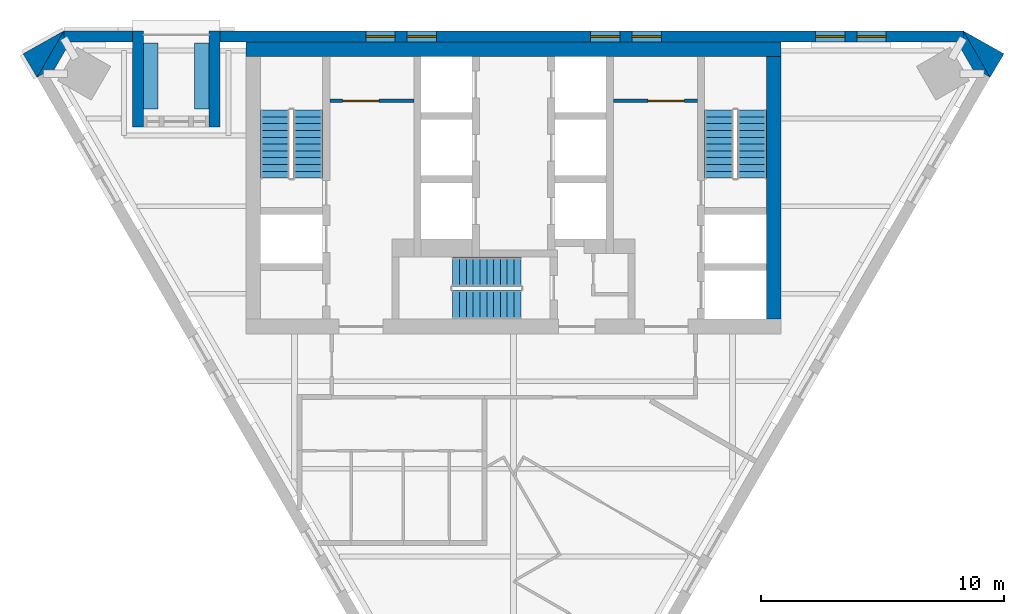
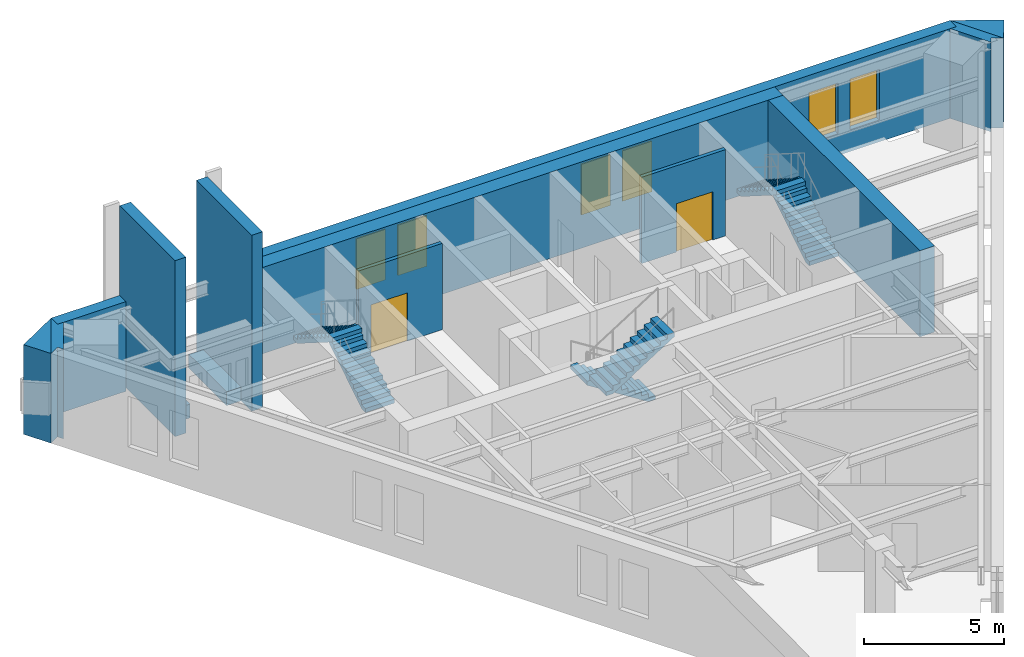
# One storey, part 5 of 6: 14 walls, 6 stair flights, 6 windows, 2 doors, 8 openings, 3 elements without a shape of their own.
"""IFC4 building model written with IfcOpenShell, lengths in metres."""

from ifc_helpers import new_model, si_unit, direction, frame, frame_2d, origin, place, context, subcontext, project, spatial, polyline, rectangle, outline, extrude, material, layer, layer_set, type_object, element, fill, aggregate, save


model = new_model("IFC4")

# Units and contexts
model_context = context("Model", 3, precision=1e-05, world=origin(), true_north=direction((0.0, 1.0)))
body_context = subcontext(model_context, "Body", "Model", "MODEL_VIEW")
ifc_project = project(units=[si_unit("LENGTHUNIT", "METRE"), si_unit("AREAUNIT", "SQUARE_METRE"), si_unit("VOLUMEUNIT", "CUBIC_METRE"), si_unit("PLANEANGLEUNIT", "RADIAN"), si_unit("MASSUNIT", "GRAM", prefix="KILO")], contexts=[model_context])

# Site, building, storey
site_placement = place(None, origin())
site = spatial("IfcSite", under=ifc_project, at=site_placement, CompositionType="ELEMENT")
building_placement = place(site_placement, origin())
building = spatial("IfcBuilding", under=site, at=building_placement, Name="Aloe Facet Convention Tower", CompositionType="ELEMENT")
storey_placement = place(building_placement, frame((0.0, 0.0, 250.39990234375)))
storey = spatial("IfcBuildingStorey", under=building, at=storey_placement, Name="L61", CompositionType="ELEMENT", Elevation=250.39990234375)

# Wall, opening, door
ifc_material_1 = material(Name="Concrete blockwork partition", Category="masonry")
ifc_layer_1 = layer(ifc_material_1, 0.14990234375)
ifc_layer_set_1 = layer_set([ifc_layer_1], Name="CR-W-PART150")
wall_type_1 = type_object("IfcWallType", Name="CR-W-PART150", PredefinedType="PARTITIONING", material=ifc_layer_set_1)
wall_1_placement = place(storey_placement, frame((72.449951171875, 132.125, 0.0), z_axis=(0.0, 0.0, 1.0), x_axis=(1.0, 0.0, 0.0)))
wall_1 = element("IfcWall", 1, at=wall_1_placement, inside=storey, type_object=wall_type_1, Name="Core partition L61-007", PredefinedType="PARTITIONING", context=body_context, shape_type="SweptSolid", body=[
    extrude(rectangle(XDim=3.449951171875, YDim=0.14990234375, at=frame_2d((1.72509765625, 0.0))), origin(), (0.0, 0.0, 1.0), 3.75),
])
opening_1_placement = place(wall_1_placement, frame((0.52490234375, 0.0, 0.0)))
opening_1 = element("IfcOpeningElement", 2, at=opening_1_placement, cuts=wall_1, Name="Opening L61-CD14", PredefinedType="OPENING", context=body_context, shape_type="SweptSolid", body=[
    extrude(rectangle(XDim=1.5, YDim=2.10009765625, at=frame_2d((0.75, 1.050048828125))), frame((0.0, 0.0849609375, 0.0), z_axis=(0.0, -1.0, 0.0), x_axis=(1.0, 0.0, 0.0)), (0.0, 0.0, 1.0), 0.169921875),
])
ifc_material_2 = material(Name="Steel fire-resisting door set FD60", Category="steel")
door_type = type_object("IfcDoorType", Name="CR-D-REFUGE-1500-FD60-DD", OperationType="DOUBLE_DOOR_DOUBLE_SWING", PredefinedType="DOOR", material=ifc_material_2)
door_1_placement = place(opening_1_placement, origin())
door_1 = element("IfcDoor", 3, at=door_1_placement, inside=storey, type_object=door_type, Name="Core door L61-CD14", OperationType="DOUBLE_DOOR_DOUBLE_SWING", OverallHeight=2.10009765625, OverallWidth=1.5, PredefinedType="DOOR", context=body_context, shape_type="SweptSolid", body=[
    extrude(rectangle(XDim=1.5, YDim=2.10009765625, at=frame_2d((0.75, 1.050048828125))), frame((0.0, 0.02490234375, 0.0), z_axis=(0.0, -1.0, 0.0), x_axis=(1.0, 0.0, 0.0)), (0.0, 0.0, 1.0), 0.050048828125),
])
fill(opening_1, door_1)

wall_2_placement = place(storey_placement, frame((84.10009765625, 132.125, 0.0), z_axis=(0.0, 0.0, 1.0), x_axis=(1.0, 0.0, 0.0)))
wall_2 = element("IfcWall", 4, at=wall_2_placement, inside=storey, type_object=wall_type_1, Name="Core partition L61-025", PredefinedType="PARTITIONING", context=body_context, shape_type="SweptSolid", body=[
    extrude(rectangle(XDim=3.449951171875, YDim=0.14990234375, at=frame_2d((1.72509765625, 0.0))), origin(), (0.0, 0.0, 1.0), 3.75),
])
opening_2_placement = place(wall_2_placement, frame((1.425048828125, 0.0, 0.0)))
opening_2 = element("IfcOpeningElement", 5, at=opening_2_placement, cuts=wall_2, Name="Opening L61-CD13", PredefinedType="OPENING", context=body_context, shape_type="SweptSolid", body=[
    extrude(rectangle(XDim=1.5, YDim=2.10009765625, at=frame_2d((0.75, 1.050048828125))), frame((0.0, 0.0849609375, 0.0), z_axis=(0.0, -1.0, 0.0), x_axis=(1.0, 0.0, 0.0)), (0.0, 0.0, 1.0), 0.169921875),
])
door_2_placement = place(opening_2_placement, origin())
door_2 = element("IfcDoor", 6, at=door_2_placement, inside=storey, type_object=door_type, Name="Core door L61-CD13", OperationType="DOUBLE_DOOR_DOUBLE_SWING", OverallHeight=2.10009765625, OverallWidth=1.5, PredefinedType="DOOR", context=body_context, shape_type="SweptSolid", body=[
    extrude(rectangle(XDim=1.5, YDim=2.10009765625, at=frame_2d((0.75, 1.050048828125))), frame((0.0, 0.02490234375, 0.0), z_axis=(0.0, -1.0, 0.0), x_axis=(1.0, 0.0, 0.0)), (0.0, 0.0, 1.0), 0.050048828125),
])
fill(opening_2, door_2)

# Walls
ifc_material_3 = material(Name="Concrete C50/60", Category="concrete")
ifc_layer_2 = layer(ifc_material_3, 0.60009765625)
ifc_layer_set_2 = layer_set([ifc_layer_2], Name="CR-W-RC600-C5060")
wall_type_2 = type_object("IfcWallType", Name="CR-W-RC600-C5060", PredefinedType="SOLIDWALL", material=ifc_layer_set_2)
wall_3_placement = place(storey_placement, frame((69.0, 134.25, 0.0), z_axis=(0.0, 0.0, 1.0), x_axis=(1.0, 0.0, 0.0)))
element("IfcWall", 7, at=wall_3_placement, inside=storey, type_object=wall_type_2, Name="Core wall L61-001", PredefinedType="SOLIDWALL", context=body_context, shape_type="SweptSolid", body=[
    extrude(rectangle(XDim=22.0, YDim=0.60009765625, at=frame_2d((11.0, 0.0))), origin(), (0.0, 0.0, 1.0), 3.75),
])
wall_4_placement = place(storey_placement, frame((90.699951171875, 133.949951171875, 0.0), z_axis=(0.0, 0.0, 1.0), x_axis=(0.0, -1.0, 0.0)))
element("IfcWall", 8, at=wall_4_placement, inside=storey, type_object=wall_type_2, Name="Core wall L61-031", PredefinedType="SOLIDWALL", context=body_context, shape_type="SweptSolid", body=[
    extrude(rectangle(XDim=10.800048828125, YDim=0.60009765625, at=frame_2d((5.39990234375, 0.0))), origin(), (0.0, 0.0, 1.0), 3.75),
])
ifc_material_4 = material(Name="Precast concrete C40/50", Category="concrete")
ifc_layer_3 = layer(ifc_material_4, 0.60009765625)
ifc_layer_set_3 = layer_set([ifc_layer_3], Name="EV-PLANTER")
wall_type_3 = type_object("IfcWallType", Name="EV-PLANTER", PredefinedType="STANDARD", material=ifc_layer_set_3)
for number, where, z_axis, x_axis, name in (
    (9, (67.185302734375, 134.5, 0.0), (0.0, 0.0, 1.0), (0.0, -1.0, 0.0), "PLANTER T13-1"),
    (10, (65.08544921875, 134.5, 0.0), (0.0, 0.0, 1.0), (0.0, -1.0, 0.0), "PLANTER T13-2"),
):
    element("IfcWall", number, at=place(storey_placement, frame(where, z_axis=z_axis, x_axis=x_axis)), inside=storey, type_object=wall_type_3, Name=name, PredefinedType="STANDARD", context=body_context, shape_type="SweptSolid", body=[
        extrude(rectangle(XDim=2.699951171875, YDim=0.60009765625, at=frame_2d((1.35009765625, 0.0))), origin(), (0.0, 0.0, 1.0), 0.60009765625),
    ])
ifc_material_5 = material(Name="Precast concrete C40/50", Category="concrete")
ifc_layer_4 = layer(ifc_material_5, 0.449951171875)
ifc_layer_set_4 = layer_set([ifc_layer_4], Name="EV-WALL-PIER")
wall_type_4 = type_object("IfcWallType", Name="EV-WALL-PIER", PredefinedType="SOLIDWALL", material=ifc_layer_set_4)
wall_5_placement = place(storey_placement, frame((0.0, 0.0, -0.14990234375)))
element("IfcWall", 11, at=wall_5_placement, inside=storey, type_object=wall_type_4, Name="EP-L61-A", PredefinedType="SOLIDWALL", context=body_context, shape_type="SweptSolid", body=[
    extrude(outline(polyline([(61.513916015625, 135.0), (61.513916015625, 134.550048828125), (61.773681640625, 134.550048828125), (60.933349609375, 133.0947265625), (60.803466796875, 133.31982421875), (60.413818359375, 133.0947265625), (61.513916015625, 135.0)])), origin(), (0.0, 0.0, 1.0), 3.89990234375),
])
wall_6_placement = place(storey_placement, frame((0.0, 0.0, -0.14990234375)))
element("IfcWall", 12, at=wall_6_placement, inside=storey, type_object=wall_type_4, Name="EP-L61-C", PredefinedType="SOLIDWALL", context=body_context, shape_type="SweptSolid", body=[
    extrude(outline(polyline([(99.586181640625, 133.0947265625), (99.196533203125, 133.31982421875), (99.066650390625, 133.0947265625), (98.226318359375, 134.550048828125), (98.486083984375, 134.550048828125), (98.486083984375, 135.0), (99.586181640625, 133.0947265625)])), origin(), (0.0, 0.0, 1.0), 3.89990234375),
])
ifc_material_6 = material(Name="Precast concrete C40/50", Category="concrete")
ifc_layer_5 = layer(ifc_material_6, 3.947998046875)
ifc_layer_set_5 = layer_set([ifc_layer_5], Name="EV-WALL-SPINE")
wall_type_5 = type_object("IfcWallType", Name="EV-WALL-SPINE", PredefinedType="SOLIDWALL", material=ifc_layer_set_5)
wall_7_placement = place(storey_placement, frame((0.0, 0.0, -0.14990234375)))
element("IfcWall", 13, at=wall_7_placement, inside=storey, type_object=wall_type_5, Name="SP-NW-L61", PredefinedType="SOLIDWALL", context=body_context, shape_type="SweptSolid", body=[
    extrude(outline(polyline([(61.513916015625, 135.0), (59.841796875, 134.059814453125), (60.413818359375, 133.0947265625), (61.513916015625, 135.0)])), origin(), (0.0, 0.0, 1.0), 3.89990234375),
])
wall_8_placement = place(storey_placement, frame((0.0, 0.0, -0.14990234375)))
element("IfcWall", 14, at=wall_8_placement, inside=storey, type_object=wall_type_5, Name="SP-NE-L61", PredefinedType="SOLIDWALL", context=body_context, shape_type="SweptSolid", body=[
    extrude(outline(polyline([(99.586181640625, 133.0947265625), (100.158203125, 134.059814453125), (98.486083984375, 135.0), (99.586181640625, 133.0947265625)])), origin(), (0.0, 0.0, 1.0), 3.89990234375),
])

# Wall, openings, windows
ifc_material_7 = material(Name="Precast concrete C40/50", Category="concrete")
ifc_layer_6 = layer(ifc_material_7, 0.449951171875)
ifc_layer_set_6 = layer_set([ifc_layer_6], Name="EV-WALL-STONE")
wall_type_6 = type_object("IfcWallType", Name="EV-WALL-STONE", PredefinedType="SOLIDWALL", material=ifc_layer_set_6)
wall_9_placement = place(storey_placement, frame((98.486083984375, 134.77490234375, -0.14990234375), z_axis=(0.0, 0.0, 1.0), x_axis=(-1.0, 0.0, 0.0)))
wall_9 = element("IfcWall", 15, at=wall_9_placement, inside=storey, type_object=wall_type_6, Name="EW-L61-N01", PredefinedType="SOLIDWALL", context=body_context, shape_type="SweptSolid", body=[
    extrude(outline(polyline([(0.0, 0.0), (0.0, 3.89990234375), (30.55078125, 3.89990234375), (30.55078125, 0.0), (0.0, 0.0)])), frame((0.0, 0.22509765625, 0.0), z_axis=(0.0, -1.0, 0.0), x_axis=(1.0, 0.0, 0.0)), (0.0, 0.0, 1.0), 0.449951171875),
])
opening_3_placement = place(wall_9_placement, frame((3.171630859375, 0.0, 0.949951171875)))
opening_3 = element("IfcOpeningElement", 16, at=opening_3_placement, cuts=wall_9, Name="Opening W-L61-N01", PredefinedType="OPENING", context=body_context, shape_type="SweptSolid", body=[
    extrude(rectangle(XDim=1.199951171875, YDim=2.199951171875, at=frame_2d((0.60009765625, 1.10009765625))), frame((0.0, 0.23486328125, 0.0), z_axis=(0.0, -1.0, 0.0), x_axis=(1.0, 0.0, 0.0)), (0.0, 0.0, 1.0), 0.469970703125),
])
opening_4_placement = place(wall_9_placement, frame((4.87158203125, 0.0, 0.949951171875)))
opening_4 = element("IfcOpeningElement", 17, at=opening_4_placement, cuts=wall_9, Name="Opening W-L61-N02", PredefinedType="OPENING", context=body_context, shape_type="SweptSolid", body=[
    extrude(rectangle(XDim=1.199951171875, YDim=2.199951171875, at=frame_2d((0.60009765625, 1.10009765625))), frame((0.0, 0.23486328125, 0.0), z_axis=(0.0, -1.0, 0.0), x_axis=(1.0, 0.0, 0.0)), (0.0, 0.0, 1.0), 0.469970703125),
])
opening_5_placement = place(wall_9_placement, frame((12.41455078125, 0.0, 0.949951171875)))
opening_5 = element("IfcOpeningElement", 18, at=opening_5_placement, cuts=wall_9, Name="Opening W-L61-N03", PredefinedType="OPENING", context=body_context, shape_type="SweptSolid", body=[
    extrude(rectangle(XDim=1.199951171875, YDim=2.199951171875, at=frame_2d((0.60009765625, 1.10009765625))), frame((0.0, 0.23486328125, 0.0), z_axis=(0.0, -1.0, 0.0), x_axis=(1.0, 0.0, 0.0)), (0.0, 0.0, 1.0), 0.469970703125),
])
opening_6_placement = place(wall_9_placement, frame((14.114501953125, 0.0, 0.949951171875)))
opening_6 = element("IfcOpeningElement", 19, at=opening_6_placement, cuts=wall_9, Name="Opening W-L61-N04", PredefinedType="OPENING", context=body_context, shape_type="SweptSolid", body=[
    extrude(rectangle(XDim=1.199951171875, YDim=2.199951171875, at=frame_2d((0.60009765625, 1.10009765625))), frame((0.0, 0.23486328125, 0.0), z_axis=(0.0, -1.0, 0.0), x_axis=(1.0, 0.0, 0.0)), (0.0, 0.0, 1.0), 0.469970703125),
])
opening_7_placement = place(wall_9_placement, frame((21.65771484375, 0.0, 0.949951171875)))
opening_7 = element("IfcOpeningElement", 20, at=opening_7_placement, cuts=wall_9, Name="Opening W-L61-N05", PredefinedType="OPENING", context=body_context, shape_type="SweptSolid", body=[
    extrude(rectangle(XDim=1.199951171875, YDim=2.199951171875, at=frame_2d((0.60009765625, 1.10009765625))), frame((0.0, 0.23486328125, 0.0), z_axis=(0.0, -1.0, 0.0), x_axis=(1.0, 0.0, 0.0)), (0.0, 0.0, 1.0), 0.469970703125),
])
opening_8_placement = place(wall_9_placement, frame((23.357666015625, 0.0, 0.949951171875)))
opening_8 = element("IfcOpeningElement", 21, at=opening_8_placement, cuts=wall_9, Name="Opening W-L61-N06", PredefinedType="OPENING", context=body_context, shape_type="SweptSolid", body=[
    extrude(rectangle(XDim=1.199951171875, YDim=2.199951171875, at=frame_2d((0.60009765625, 1.10009765625))), frame((0.0, 0.23486328125, 0.0), z_axis=(0.0, -1.0, 0.0), x_axis=(1.0, 0.0, 0.0)), (0.0, 0.0, 1.0), 0.469970703125),
])
ifc_material_8 = material(Name="Aluminium frame, clear double glazing", Category="aluminium")
window_type = type_object("IfcWindowType", Name="EV-WIN-O12", PartitioningType="SINGLE_PANEL", PredefinedType="WINDOW", material=ifc_material_8)
window_1_placement = place(opening_3_placement, origin())
window_1 = element("IfcWindow", 22, at=window_1_placement, inside=storey, type_object=window_type, Name="W-L61-N01", OverallHeight=2.199951171875, OverallWidth=1.199951171875, PartitioningType="SINGLE_PANEL", PredefinedType="WINDOW", context=body_context, shape_type="SweptSolid", body=[
    extrude(rectangle(XDim=1.199951171875, YDim=2.199951171875, at=frame_2d((0.60009765625, 1.10009765625))), frame((0.0, 0.030029296875, 0.0), z_axis=(0.0, -1.0, 0.0), x_axis=(1.0, 0.0, 0.0)), (0.0, 0.0, 1.0), 0.06005859375),
])
fill(opening_3, window_1)
window_2_placement = place(opening_4_placement, origin())
window_2 = element("IfcWindow", 23, at=window_2_placement, inside=storey, type_object=window_type, Name="W-L61-N02", OverallHeight=2.199951171875, OverallWidth=1.199951171875, PartitioningType="SINGLE_PANEL", PredefinedType="WINDOW", context=body_context, shape_type="SweptSolid", body=[
    extrude(rectangle(XDim=1.199951171875, YDim=2.199951171875, at=frame_2d((0.60009765625, 1.10009765625))), frame((0.0, 0.030029296875, 0.0), z_axis=(0.0, -1.0, 0.0), x_axis=(1.0, 0.0, 0.0)), (0.0, 0.0, 1.0), 0.06005859375),
])
fill(opening_4, window_2)
window_3_placement = place(opening_5_placement, origin())
window_3 = element("IfcWindow", 24, at=window_3_placement, inside=storey, type_object=window_type, Name="W-L61-N03", OverallHeight=2.199951171875, OverallWidth=1.199951171875, PartitioningType="SINGLE_PANEL", PredefinedType="WINDOW", context=body_context, shape_type="SweptSolid", body=[
    extrude(rectangle(XDim=1.199951171875, YDim=2.199951171875, at=frame_2d((0.60009765625, 1.10009765625))), frame((0.0, 0.030029296875, 0.0), z_axis=(0.0, -1.0, 0.0), x_axis=(1.0, 0.0, 0.0)), (0.0, 0.0, 1.0), 0.06005859375),
])
fill(opening_5, window_3)
window_4_placement = place(opening_6_placement, origin())
window_4 = element("IfcWindow", 25, at=window_4_placement, inside=storey, type_object=window_type, Name="W-L61-N04", OverallHeight=2.199951171875, OverallWidth=1.199951171875, PartitioningType="SINGLE_PANEL", PredefinedType="WINDOW", context=body_context, shape_type="SweptSolid", body=[
    extrude(rectangle(XDim=1.199951171875, YDim=2.199951171875, at=frame_2d((0.60009765625, 1.10009765625))), frame((0.0, 0.030029296875, 0.0), z_axis=(0.0, -1.0, 0.0), x_axis=(1.0, 0.0, 0.0)), (0.0, 0.0, 1.0), 0.06005859375),
])
fill(opening_6, window_4)
window_5_placement = place(opening_7_placement, origin())
window_5 = element("IfcWindow", 26, at=window_5_placement, inside=storey, type_object=window_type, Name="W-L61-N05", OverallHeight=2.199951171875, OverallWidth=1.199951171875, PartitioningType="SINGLE_PANEL", PredefinedType="WINDOW", context=body_context, shape_type="SweptSolid", body=[
    extrude(rectangle(XDim=1.199951171875, YDim=2.199951171875, at=frame_2d((0.60009765625, 1.10009765625))), frame((0.0, 0.030029296875, 0.0), z_axis=(0.0, -1.0, 0.0), x_axis=(1.0, 0.0, 0.0)), (0.0, 0.0, 1.0), 0.06005859375),
])
fill(opening_7, window_5)
window_6_placement = place(opening_8_placement, origin())
window_6 = element("IfcWindow", 27, at=window_6_placement, inside=storey, type_object=window_type, Name="W-L61-N06", OverallHeight=2.199951171875, OverallWidth=1.199951171875, PartitioningType="SINGLE_PANEL", PredefinedType="WINDOW", context=body_context, shape_type="SweptSolid", body=[
    extrude(rectangle(XDim=1.199951171875, YDim=2.199951171875, at=frame_2d((0.60009765625, 1.10009765625))), frame((0.0, 0.030029296875, 0.0), z_axis=(0.0, -1.0, 0.0), x_axis=(1.0, 0.0, 0.0)), (0.0, 0.0, 1.0), 0.06005859375),
])
fill(opening_8, window_6)

# Walls
wall_10_placement = place(storey_placement, frame((64.33544921875, 134.77490234375, -0.14990234375), z_axis=(0.0, 0.0, 1.0), x_axis=(-1.0, 0.0, 0.0)))
element("IfcWall", 28, at=wall_10_placement, inside=storey, type_object=wall_type_6, Name="EW-L61-N02", PredefinedType="SOLIDWALL", context=body_context, shape_type="SweptSolid", body=[
    extrude(outline(polyline([(2.821533203125, 3.89990234375), (2.821533203125, 0.0), (0.0, 0.0), (0.0, 3.89990234375), (2.821533203125, 3.89990234375)])), frame((0.0, 0.22509765625, 0.0), z_axis=(0.0, -1.0, 0.0), x_axis=(1.0, 0.0, 0.0)), (0.0, 0.0, 1.0), 0.449951171875),
])
for number, where, z_axis, x_axis, name in (
    (29, (67.71044921875, 135.0, 0.0), (0.0, 0.0, 1.0), (0.0, -1.0, 0.0), "TW-T13-1"),
    (30, (64.560302734375, 135.0, 0.0), (0.0, 0.0, 1.0), (0.0, -1.0, 0.0), "TW-T13-2"),
):
    element("IfcWall", number, at=place(storey_placement, frame(where, z_axis=z_axis, x_axis=x_axis)), inside=storey, type_object=wall_type_6, Name=name, PredefinedType="SOLIDWALL", context=body_context, shape_type="SweptSolid", body=[
        extrude(rectangle(XDim=3.949951171875, YDim=0.449951171875, at=frame_2d((1.97509765625, 0.0))), origin(), (0.0, 0.0, 1.0), 7.650146484375),
    ])

# Stair, stair flights
ifc_material_9 = material(Name="Concrete C50/60", Category="concrete")
stair_type = type_object("IfcStairType", Name="CR-ST-22R", PredefinedType="HALF_TURN_STAIR", material=ifc_material_9)
stair_1_placement = place(storey_placement, origin())
stair_1 = element("IfcStair", 31, at=stair_1_placement, inside=storey, type_object=stair_type, Name="L61 Protected exit stair ST1", PredefinedType="HALF_TURN_STAIR")
ifc_material_10 = material(Name="Concrete C50/60", Category="concrete")
stair_flight_type = type_object("IfcStairFlightType", Name="CR-SFL-22R", PredefinedType="STRAIGHT", material=ifc_material_10)
stair_flight_1_placement = place(storey_placement, frame((71.550048828125, 128.949951171875, 0.0), z_axis=(0.0, 0.0, 1.0), x_axis=(0.0, 1.0, 0.0)))
stair_flight_1 = element("IfcStairFlight", 32, at=stair_flight_1_placement, type_object=stair_flight_type, Name="ST1 flight 1", NumberOfRisers=11, NumberOfTreads=10, PredefinedType="STRAIGHT", RiserHeight=0.177272727, TreadLength=0.28, context=body_context, shape_type="SweptSolid", body=[
    extrude(outline(polyline([(0.0, 0.0), (0.0, 0.17724609375), (0.280029296875, 0.17724609375), (0.280029296875, 0.3544921875), (0.56005859375, 0.3544921875), (0.56005859375, 0.53173828125), (0.840087890625, 0.53173828125), (0.840087890625, 0.708984375), (1.1201171875, 0.708984375), (1.1201171875, 0.886474609375), (1.39990234375, 0.886474609375), (1.39990234375, 1.063720703125), (1.679931640625, 1.063720703125), (1.679931640625, 1.240966796875), (1.9599609375, 1.240966796875), (1.9599609375, 1.418212890625), (2.239990234375, 1.418212890625), (2.239990234375, 1.595458984375), (2.52001953125, 1.595458984375), (2.52001953125, 1.772705078125), (2.800048828125, 1.772705078125), (2.800048828125, 1.949951171875), (2.800048828125, 1.59521484375), (0.2802734375, 0.0), (0.0, 0.0)])), frame((0.0, 0.60009765625, 0.0), z_axis=(0.0, -1.0, 0.0), x_axis=(1.0, 0.0, 0.0)), (0.0, 0.0, 1.0), 1.199951171875),
])
stair_flight_2_placement = place(storey_placement, frame((70.199951171875, 131.75, 1.9501953125), z_axis=(0.0, 0.0, 1.0), x_axis=(0.0, -1.0, 0.0)))
stair_flight_2 = element("IfcStairFlight", 33, at=stair_flight_2_placement, type_object=stair_flight_type, Name="ST1 flight 2", NumberOfRisers=11, NumberOfTreads=10, PredefinedType="STRAIGHT", RiserHeight=0.177272727, TreadLength=0.28, context=body_context, shape_type="SweptSolid", body=[
    extrude(outline(polyline([(0.0, 0.0), (0.0, 0.17724609375), (0.280029296875, 0.17724609375), (0.280029296875, 0.3544921875), (0.56005859375, 0.3544921875), (0.56005859375, 0.53173828125), (0.840087890625, 0.53173828125), (0.840087890625, 0.708984375), (1.1201171875, 0.708984375), (1.1201171875, 0.886474609375), (1.39990234375, 0.886474609375), (1.39990234375, 1.063720703125), (1.679931640625, 1.063720703125), (1.679931640625, 1.240966796875), (1.9599609375, 1.240966796875), (1.9599609375, 1.418212890625), (2.239990234375, 1.418212890625), (2.239990234375, 1.595458984375), (2.52001953125, 1.595458984375), (2.52001953125, 1.772705078125), (2.800048828125, 1.772705078125), (2.800048828125, 1.949951171875), (2.800048828125, 1.59521484375), (0.2802734375, 0.0), (0.0, 0.0)])), frame((0.0, 0.60009765625, 0.0), z_axis=(0.0, -1.0, 0.0), x_axis=(1.0, 0.0, 0.0)), (0.0, 0.0, 1.0), 1.199951171875),
])
aggregate(stair_1, [stair_flight_1, stair_flight_2])

stair_2_placement = place(storey_placement, origin())
stair_2 = element("IfcStair", 34, at=stair_2_placement, inside=storey, type_object=stair_type, Name="L61 Protected exit stair ST2", PredefinedType="HALF_TURN_STAIR")
stair_flight_3_placement = place(storey_placement, frame((89.800048828125, 128.949951171875, 0.0), z_axis=(0.0, 0.0, 1.0), x_axis=(0.0, 1.0, 0.0)))
stair_flight_3 = element("IfcStairFlight", 35, at=stair_flight_3_placement, type_object=stair_flight_type, Name="ST2 flight 1", NumberOfRisers=11, NumberOfTreads=10, PredefinedType="STRAIGHT", RiserHeight=0.177272727, TreadLength=0.28, context=body_context, shape_type="SweptSolid", body=[
    extrude(outline(polyline([(0.0, 0.0), (0.0, 0.17724609375), (0.280029296875, 0.17724609375), (0.280029296875, 0.3544921875), (0.56005859375, 0.3544921875), (0.56005859375, 0.53173828125), (0.840087890625, 0.53173828125), (0.840087890625, 0.708984375), (1.1201171875, 0.708984375), (1.1201171875, 0.886474609375), (1.39990234375, 0.886474609375), (1.39990234375, 1.063720703125), (1.679931640625, 1.063720703125), (1.679931640625, 1.240966796875), (1.9599609375, 1.240966796875), (1.9599609375, 1.418212890625), (2.239990234375, 1.418212890625), (2.239990234375, 1.595458984375), (2.52001953125, 1.595458984375), (2.52001953125, 1.772705078125), (2.800048828125, 1.772705078125), (2.800048828125, 1.949951171875), (2.800048828125, 1.59521484375), (0.2802734375, 0.0), (0.0, 0.0)])), frame((0.0, 0.60009765625, 0.0), z_axis=(0.0, -1.0, 0.0), x_axis=(1.0, 0.0, 0.0)), (0.0, 0.0, 1.0), 1.199951171875),
])
stair_flight_4_placement = place(storey_placement, frame((88.449951171875, 131.75, 1.9501953125), z_axis=(0.0, 0.0, 1.0), x_axis=(0.0, -1.0, 0.0)))
stair_flight_4 = element("IfcStairFlight", 36, at=stair_flight_4_placement, type_object=stair_flight_type, Name="ST2 flight 2", NumberOfRisers=11, NumberOfTreads=10, PredefinedType="STRAIGHT", RiserHeight=0.177272727, TreadLength=0.28, context=body_context, shape_type="SweptSolid", body=[
    extrude(outline(polyline([(0.0, 0.0), (0.0, 0.17724609375), (0.280029296875, 0.17724609375), (0.280029296875, 0.3544921875), (0.56005859375, 0.3544921875), (0.56005859375, 0.53173828125), (0.840087890625, 0.53173828125), (0.840087890625, 0.708984375), (1.1201171875, 0.708984375), (1.1201171875, 0.886474609375), (1.39990234375, 0.886474609375), (1.39990234375, 1.063720703125), (1.679931640625, 1.063720703125), (1.679931640625, 1.240966796875), (1.9599609375, 1.240966796875), (1.9599609375, 1.418212890625), (2.239990234375, 1.418212890625), (2.239990234375, 1.595458984375), (2.52001953125, 1.595458984375), (2.52001953125, 1.772705078125), (2.800048828125, 1.772705078125), (2.800048828125, 1.949951171875), (2.800048828125, 1.59521484375), (0.2802734375, 0.0), (0.0, 0.0)])), frame((0.0, 0.60009765625, 0.0), z_axis=(0.0, -1.0, 0.0), x_axis=(1.0, 0.0, 0.0)), (0.0, 0.0, 1.0), 1.199951171875),
])
aggregate(stair_2, [stair_flight_3, stair_flight_4])

stair_3_placement = place(storey_placement, origin())
stair_3 = element("IfcStair", 37, at=stair_3_placement, inside=storey, type_object=stair_type, Name="L61 Protected exit stair ST3", PredefinedType="HALF_TURN_STAIR")
stair_flight_5_placement = place(storey_placement, frame((80.300048828125, 125.10009765625, 0.0), z_axis=(0.0, 0.0, 1.0), x_axis=(-1.0, 0.0, 0.0)))
stair_flight_5 = element("IfcStairFlight", 38, at=stair_flight_5_placement, type_object=stair_flight_type, Name="ST3 flight 1", NumberOfRisers=11, NumberOfTreads=10, PredefinedType="STRAIGHT", RiserHeight=0.177272727, TreadLength=0.28, context=body_context, shape_type="SweptSolid", body=[
    extrude(outline(polyline([(0.0, 0.0), (0.0, 0.17724609375), (0.280029296875, 0.17724609375), (0.280029296875, 0.3544921875), (0.56005859375, 0.3544921875), (0.56005859375, 0.53173828125), (0.840087890625, 0.53173828125), (0.840087890625, 0.708984375), (1.1201171875, 0.708984375), (1.1201171875, 0.886474609375), (1.39990234375, 0.886474609375), (1.39990234375, 1.063720703125), (1.679931640625, 1.063720703125), (1.679931640625, 1.240966796875), (1.9599609375, 1.240966796875), (1.9599609375, 1.418212890625), (2.239990234375, 1.418212890625), (2.239990234375, 1.595458984375), (2.52001953125, 1.595458984375), (2.52001953125, 1.772705078125), (2.800048828125, 1.772705078125), (2.800048828125, 1.949951171875), (2.800048828125, 1.59521484375), (0.2802734375, 0.0), (0.0, 0.0)])), frame((0.0, 0.60009765625, 0.0), z_axis=(0.0, -1.0, 0.0), x_axis=(1.0, 0.0, 0.0)), (0.0, 0.0, 1.0), 1.199951171875),
])
stair_flight_6_placement = place(storey_placement, frame((77.5, 123.75, 1.9501953125), z_axis=(0.0, 0.0, 1.0), x_axis=(1.0, 0.0, 0.0)))
stair_flight_6 = element("IfcStairFlight", 39, at=stair_flight_6_placement, type_object=stair_flight_type, Name="ST3 flight 2", NumberOfRisers=11, NumberOfTreads=10, PredefinedType="STRAIGHT", RiserHeight=0.177272727, TreadLength=0.28, context=body_context, shape_type="SweptSolid", body=[
    extrude(outline(polyline([(0.0, 0.0), (0.0, 0.17724609375), (0.280029296875, 0.17724609375), (0.280029296875, 0.3544921875), (0.56005859375, 0.3544921875), (0.56005859375, 0.53173828125), (0.840087890625, 0.53173828125), (0.840087890625, 0.708984375), (1.1201171875, 0.708984375), (1.1201171875, 0.886474609375), (1.39990234375, 0.886474609375), (1.39990234375, 1.063720703125), (1.679931640625, 1.063720703125), (1.679931640625, 1.240966796875), (1.9599609375, 1.240966796875), (1.9599609375, 1.418212890625), (2.239990234375, 1.418212890625), (2.239990234375, 1.595458984375), (2.52001953125, 1.595458984375), (2.52001953125, 1.772705078125), (2.800048828125, 1.772705078125), (2.800048828125, 1.949951171875), (2.800048828125, 1.59521484375), (0.2802734375, 0.0), (0.0, 0.0)])), frame((0.0, 0.60009765625, 0.0), z_axis=(0.0, -1.0, 0.0), x_axis=(1.0, 0.0, 0.0)), (0.0, 0.0, 1.0), 1.199951171875),
])
aggregate(stair_3, [stair_flight_5, stair_flight_6])

save(model, "model.ifc")
